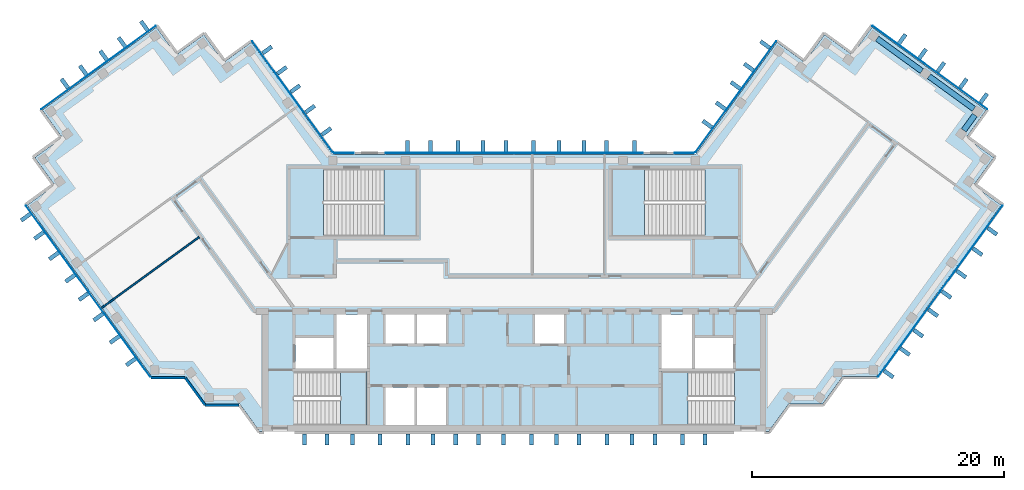
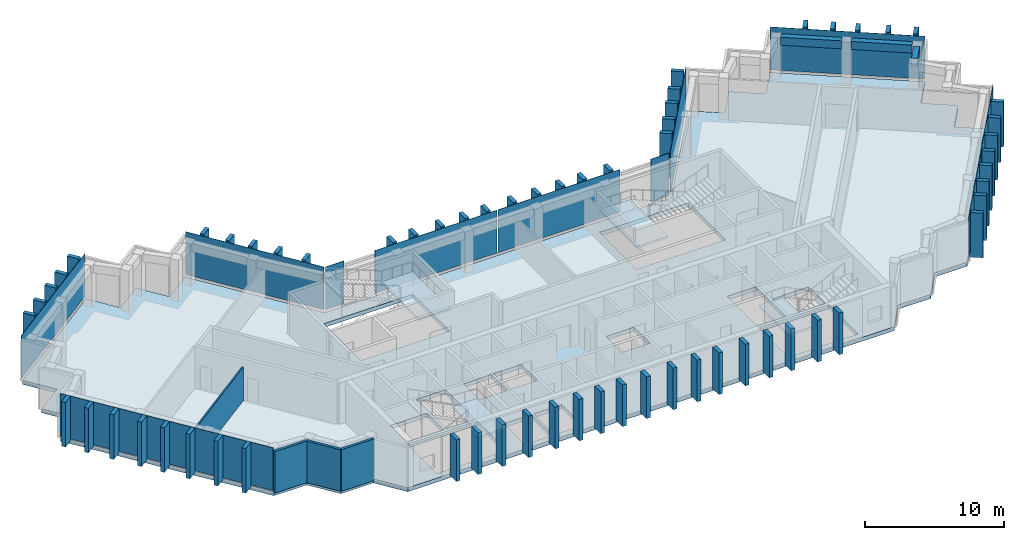
"""IFC4 building model written with IfcOpenShell, lengths in metres."""

from ifc_helpers import new_model, si_unit, direction, frame, frame_2d, origin, origin_2d, place, context, subcontext, project, spatial, polyline, rectangle, outline, extrude, material, layer, layer_set, material_profile, profile_set, type_object, element, aggregate, save


model = new_model("IFC4")

# Units and contexts
model_context = context("Model", 3, precision=1e-05, world=origin(), true_north=direction((0.0, 1.0)))
body_context = subcontext(model_context, "Body", "Model", "MODEL_VIEW")
ifc_project = project(units=[si_unit("LENGTHUNIT", "METRE"), si_unit("AREAUNIT", "SQUARE_METRE"), si_unit("VOLUMEUNIT", "CUBIC_METRE"), si_unit("PLANEANGLEUNIT", "RADIAN"), si_unit("MASSUNIT", "GRAM", prefix="KILO")], contexts=[model_context])

# Site, building, storey
site_placement = place(None, origin())
site = spatial("IfcSite", under=ifc_project, at=site_placement, CompositionType="ELEMENT")
building_placement = place(site_placement, origin())
building = spatial("IfcBuilding", under=site, at=building_placement, Name="Quipu Civic Tower", CompositionType="ELEMENT")
storey_1_placement = place(building_placement, frame((0.0, 0.0, 289.0)))
storey_1 = spatial("IfcBuildingStorey", under=building, at=storey_1_placement, Name="L67", CompositionType="ELEMENT", Elevation=289.0)

# Beams
ifc_material_1 = material(Name="Concrete C50/60", Category="concrete")
ifc_material_profile = material_profile(ifc_material_1, rectangle(XDim=0.449951171875, YDim=0.699951171875, at=origin_2d()), Name="RC450x700")
ifc_profile_set = profile_set([ifc_material_profile], Name="Concrete C50/60")
beam_type = type_object("IfcBeamType", Name="Spandrel beam RC 450x700 C50/60", PredefinedType="SPANDREL", material=ifc_profile_set)
beam_1_placement = place(storey_1_placement, frame((35.6767578125, 12.8994140625, 3.300048828125), z_axis=(0.588345920092, 0.808609348394, 0.0), x_axis=(-0.808609348394, 0.588345920092, 0.0)))
element("IfcBeam", 1, at=beam_1_placement, inside=storey_1, type_object=beam_type, Name="Spandrel beam L67 T-Eo.3-E22 to T-Eo.4-E22", PredefinedType="SPANDREL", context=body_context, shape_type="SweptSolid", body=[
    extrude(rectangle(XDim=0.449951171875, YDim=0.699951171875, at=origin_2d()), origin(), (0.0, 0.0, 1.0), 1.499755859375),
])
beam_2_placement = place(storey_1_placement, frame((36.481689453125, 14.6005859375, 3.300048828125), z_axis=(-0.809117270763, 0.587647208921, 0.0), x_axis=(-0.587647208921, -0.809117270763, 0.0)))
element("IfcBeam", 2, at=beam_2_placement, inside=storey_1, type_object=beam_type, Name="Spandrel beam L67 T-Eo.4-E22 to TIP-E-01-E22", PredefinedType="SPANDREL", context=body_context, shape_type="SweptSolid", body=[
    extrude(rectangle(XDim=0.449951171875, YDim=0.699951171875, at=origin_2d()), origin(), (0.0, 0.0, 1.0), 4.40185546875),
])
beam_3_placement = place(storey_1_placement, frame((32.353759765625, 17.5986328125, 3.300048828125), z_axis=(-0.809146152767, 0.587607439931, 0.0), x_axis=(-0.587607439931, -0.809146152767, 0.0)))
element("IfcBeam", 3, at=beam_3_placement, inside=storey_1, type_object=beam_type, Name="Spandrel beam L67 TIP-E-01-E22 to T-Ei.0-E22", PredefinedType="SPANDREL", context=body_context, shape_type="SweptSolid", body=[
    extrude(rectangle(XDim=0.449951171875, YDim=0.699951171875, at=origin_2d()), origin(), (0.0, 0.0, 1.0), 4.400390625),
])

# Slab
ifc_material_2 = material(Name="Concrete C40/50", Category="concrete")
ifc_layer_1 = layer(ifc_material_2, 0.35009765625)
ifc_layer_set_1 = layer_set([ifc_layer_1], Name="Concrete C40/50")
slab_type_1 = type_object("IfcSlabType", Name="Floor slab 350 C40/50", PredefinedType="FLOOR", material=ifc_layer_set_1)
slab_1_placement = place(storey_1_placement, frame((0.0, 0.0, -0.35009765625)))
element("IfcSlab", 4, at=slab_1_placement, inside=storey_1, type_object=slab_type_1, Name="Floor slab L67", PredefinedType="FLOOR", context=body_context, shape_type="SweptSolid", body=[
    extrude(outline(polyline([(20.860107421875, 19.89501953125), (23.0400390625, 18.31005859375), (24.6298828125, 20.4951171875), (26.81494140625, 18.905029296875), (28.39990234375, 21.090087890625), (37.4599609375, 14.5048828125), (35.875, 12.320068359375), (38.06005859375, 10.735107421875), (36.469970703125, 8.550048828125), (38.655029296875, 6.965087890625), (28.780029296875, -6.6298828125), (26.080078125, -6.6298828125), (24.489990234375, -8.81494140625), (21.7900390625, -8.81494140625), (20.205078125, -11.0), (-20.205078125, -11.0), (-21.7900390625, -8.81494140625), (-24.489990234375, -8.81494140625), (-26.080078125, -6.6298828125), (-28.780029296875, -6.6298828125), (-38.655029296875, 6.965087890625), (-36.469970703125, 8.550048828125), (-38.06005859375, 10.735107421875), (-35.875, 12.320068359375), (-37.4599609375, 14.5048828125), (-28.39990234375, 21.090087890625), (-26.81494140625, 18.905029296875), (-24.6298828125, 20.4951171875), (-23.0400390625, 18.31005859375), (-20.860107421875, 19.89501953125), (-14.39501953125, 11.0), (14.39501953125, 11.0), (20.860107421875, 19.89501953125)]), holes=[polyline([(-10.199951171875, -10.5), (-7.89990234375, -10.5), (-7.89990234375, -7.5), (-10.199951171875, -7.5), (-10.199951171875, -10.5)]), polyline([(-7.699951171875, -7.5), (-7.699951171875, -10.5), (-5.39990234375, -10.5), (-5.39990234375, -7.5), (-7.699951171875, -7.5)]), polyline([(-11.705078125, -6.2548828125), (-17.4951171875, -6.2548828125), (-17.4951171875, -10.4951171875), (-11.705078125, -10.4951171875), (-11.705078125, -6.2548828125)]), polyline([(-17.35009765625, -6.0), (-14.35009765625, -6.0), (-14.35009765625, -3.60009765625), (-17.35009765625, -3.60009765625), (-17.35009765625, -6.0)]), polyline([(-14.10009765625, -1.699951171875), (-14.10009765625, -6.0), (-11.699951171875, -6.0), (-11.699951171875, -1.699951171875), (-14.10009765625, -1.699951171875)]), polyline([(-10.199951171875, -1.699951171875), (-10.199951171875, -4.0), (-7.89990234375, -4.0), (-7.89990234375, -1.699951171875), (-10.199951171875, -1.699951171875)]), polyline([(-15.14501953125, 9.844970703125), (-15.14501953125, 4.5048828125), (-7.7548828125, 4.5048828125), (-7.7548828125, 9.844970703125), (-15.14501953125, 9.844970703125)]), polyline([(11.705078125, -10.4951171875), (17.4951171875, -10.4951171875), (17.4951171875, -6.2548828125), (11.705078125, -6.2548828125), (11.705078125, -10.4951171875)]), polyline([(14.35009765625, -3.60009765625), (14.35009765625, -6.0), (17.35009765625, -6.0), (17.35009765625, -3.60009765625), (14.35009765625, -3.60009765625)]), polyline([(11.699951171875, -1.699951171875), (11.699951171875, -6.0), (14.10009765625, -6.0), (14.10009765625, -1.699951171875), (11.699951171875, -1.699951171875)]), polyline([(-7.699951171875, -1.699951171875), (-7.699951171875, -4.0), (-5.39990234375, -4.0), (-5.39990234375, -1.699951171875), (-7.699951171875, -1.699951171875)]), polyline([(1.64990234375, -1.699951171875), (1.64990234375, -4.0), (3.949951171875, -4.0), (3.949951171875, -1.699951171875), (1.64990234375, -1.699951171875)]), polyline([(7.7548828125, 4.5048828125), (15.14501953125, 4.5048828125), (15.14501953125, 9.844970703125), (7.7548828125, 9.844970703125), (7.7548828125, 4.5048828125)])]), origin(), (0.0, 0.0, 1.0), 0.35009765625),
])

# Storey
storey_2_placement = place(building_placement, frame((0.0, 0.0, 285.0)))
storey_2 = spatial("IfcBuildingStorey", under=building, at=storey_2_placement, Name="L66", CompositionType="ELEMENT", Elevation=285.0)

# Curtain wall, plate
ifc_material_3 = material(Name="Insulated glass unit", Category="glass")
curtain_wall_type = type_object("IfcCurtainWallType", Name="Office curtain wall CW1", PredefinedType="NOTDEFINED", material=ifc_material_3)
curtain_wall_1_placement = place(storey_2_placement, origin())
curtain_wall_1 = element("IfcCurtainWall", 5, at=curtain_wall_1_placement, inside=storey_2, type_object=curtain_wall_type, Name="Office curtain wall CW1 L65 run 1", PredefinedType="NOTDEFINED")
ifc_material_4 = material(Name="Insulated glass unit", Category="glass")
ifc_layer_2 = layer(ifc_material_4, 0.028076171875)
ifc_layer_set_2 = layer_set([ifc_layer_2], Name="Insulated glass unit")
plate_type_1 = type_object("IfcPlateType", Name="Glass panel CW1", PredefinedType="CURTAIN_PANEL", material=ifc_layer_set_2)
plate_1_placement = place(storey_1_placement, frame((-17.590087890625, 15.5673828125, 0.16015625), z_axis=(0.0, 0.0, 1.0), x_axis=(-0.587787771652, 0.809015163947, 0.0)))
plate_1 = element("IfcPlate", 6, at=plate_1_placement, inside=storey_1, type_object=plate_type_1, Name="CW1 panel 1.3", PredefinedType="CURTAIN_PANEL", context=body_context, shape_type="SweptSolid", body=[
    extrude(rectangle(XDim=10.88427734375, YDim=0.028076171875, at=origin_2d()), origin(), (0.0, 0.0, 1.0), 3.760009765625),
])
aggregate(curtain_wall_1, [plate_1])

curtain_wall_2_placement = place(storey_2_placement, origin())
curtain_wall_2 = element("IfcCurtainWall", 7, at=curtain_wall_2_placement, inside=storey_2, type_object=curtain_wall_type, Name="Office curtain wall CW1 L65 run 6", PredefinedType="NOTDEFINED")
plate_2_placement = place(storey_1_placement, frame((-32.989990234375, 17.87939453125, 0.16015625), z_axis=(0.0, 0.0, 1.0), x_axis=(-0.809015176832, -0.587787753918, 0.0)))
plate_2 = element("IfcPlate", 8, at=plate_2_placement, inside=storey_1, type_object=plate_type_1, Name="CW1 panel 1.3", PredefinedType="CURTAIN_PANEL", context=body_context, shape_type="SweptSolid", body=[
    extrude(rectangle(XDim=11.239990234375, YDim=0.028076171875, at=origin_2d()), origin(), (0.0, 0.0, 1.0), 3.760009765625),
])
aggregate(curtain_wall_2, [plate_2])

# Curtain wall, plates
curtain_wall_3_placement = place(storey_2_placement, origin())
curtain_wall_3 = element("IfcCurtainWall", 9, at=curtain_wall_3_placement, inside=storey_2, type_object=curtain_wall_type, Name="Office curtain wall CW1 L65 run 11", PredefinedType="NOTDEFINED")
plate_3_placement = place(storey_1_placement, frame((-36.292724609375, 3.54052734375, 0.16015625), z_axis=(0.0, 0.0, 1.0), x_axis=(0.587786237643, -0.809016278475, 0.0)))
plate_3 = element("IfcPlate", 10, at=plate_3_placement, inside=storey_1, type_object=plate_type_1, Name="CW1 panel 1.3", PredefinedType="CURTAIN_PANEL", context=body_context, shape_type="SweptSolid", body=[
    extrude(rectangle(XDim=8.35791015625, YDim=0.028076171875, at=origin_2d()), origin(), (0.0, 0.0, 1.0), 3.760009765625),
])
plate_4_placement = place(storey_1_placement, frame((-31.333251953125, -3.285888671875, 0.16015625), z_axis=(0.0, 0.0, 1.0), x_axis=(0.587786237643, -0.809016278475, 0.0)))
plate_4 = element("IfcPlate", 11, at=plate_4_placement, inside=storey_1, type_object=plate_type_1, Name="CW1 panel 2.3", PredefinedType="CURTAIN_PANEL", context=body_context, shape_type="SweptSolid", body=[
    extrude(rectangle(XDim=8.35791015625, YDim=0.028076171875, at=origin_2d()), origin(), (0.0, 0.0, 1.0), 3.760009765625),
])
aggregate(curtain_wall_3, [plate_3, plate_4])

curtain_wall_4_placement = place(storey_2_placement, origin())
curtain_wall_4 = element("IfcCurtainWall", 12, at=curtain_wall_4_placement, inside=storey_2, type_object=curtain_wall_type, Name="Office curtain wall CW1 L65 run 23", PredefinedType="NOTDEFINED")
plate_5_placement = place(storey_1_placement, frame((31.333251953125, -3.285888671875, 0.16015625), z_axis=(0.0, 0.0, 1.0), x_axis=(0.587786237643, 0.809016278475, 0.0)))
plate_5 = element("IfcPlate", 13, at=plate_5_placement, inside=storey_1, type_object=plate_type_1, Name="CW1 panel 1.3", PredefinedType="CURTAIN_PANEL", context=body_context, shape_type="SweptSolid", body=[
    extrude(rectangle(XDim=8.35791015625, YDim=0.028076171875, at=origin_2d()), origin(), (0.0, 0.0, 1.0), 3.760009765625),
])
plate_6_placement = place(storey_1_placement, frame((36.292724609375, 3.54052734375, 0.16015625), z_axis=(0.0, 0.0, 1.0), x_axis=(0.587786237643, 0.809016278475, 0.0)))
plate_6 = element("IfcPlate", 14, at=plate_6_placement, inside=storey_1, type_object=plate_type_1, Name="CW1 panel 2.3", PredefinedType="CURTAIN_PANEL", context=body_context, shape_type="SweptSolid", body=[
    extrude(rectangle(XDim=8.35791015625, YDim=0.028076171875, at=origin_2d()), origin(), (0.0, 0.0, 1.0), 3.760009765625),
])
aggregate(curtain_wall_4, [plate_5, plate_6])

# Curtain wall, plate
curtain_wall_5_placement = place(storey_2_placement, origin())
curtain_wall_5 = element("IfcCurtainWall", 15, at=curtain_wall_5_placement, inside=storey_2, type_object=curtain_wall_type, Name="Office curtain wall CW1 L65 run 28", PredefinedType="NOTDEFINED")
plate_7_placement = place(storey_1_placement, frame((32.989990234375, 17.87939453125, 0.16015625), z_axis=(0.0, 0.0, 1.0), x_axis=(-0.809015176832, 0.587787753918, 0.0)))
plate_7 = element("IfcPlate", 16, at=plate_7_placement, inside=storey_1, type_object=plate_type_1, Name="CW1 panel 1.3", PredefinedType="CURTAIN_PANEL", context=body_context, shape_type="SweptSolid", body=[
    extrude(rectangle(XDim=11.239990234375, YDim=0.028076171875, at=origin_2d()), origin(), (0.0, 0.0, 1.0), 3.760009765625),
])
aggregate(curtain_wall_5, [plate_7])

curtain_wall_6_placement = place(storey_2_placement, origin())
curtain_wall_6 = element("IfcCurtainWall", 17, at=curtain_wall_6_placement, inside=storey_2, type_object=curtain_wall_type, Name="Office curtain wall CW1 L65 run 33", PredefinedType="NOTDEFINED")
plate_8_placement = place(storey_1_placement, frame((17.590087890625, 15.5673828125, 0.16015625), z_axis=(0.0, 0.0, 1.0), x_axis=(-0.587787771652, -0.809015163947, 0.0)))
plate_8 = element("IfcPlate", 18, at=plate_8_placement, inside=storey_1, type_object=plate_type_1, Name="CW1 panel 1.3", PredefinedType="CURTAIN_PANEL", context=body_context, shape_type="SweptSolid", body=[
    extrude(rectangle(XDim=10.88427734375, YDim=0.028076171875, at=origin_2d()), origin(), (0.0, 0.0, 1.0), 3.760009765625),
])
aggregate(curtain_wall_6, [plate_8])

curtain_wall_7_placement = place(storey_2_placement, origin())
curtain_wall_7 = element("IfcCurtainWall", 19, at=curtain_wall_7_placement, inside=storey_2, type_object=curtain_wall_type, Name="Office curtain wall CW1 L65 run 34", PredefinedType="NOTDEFINED")
plate_9_placement = place(storey_1_placement, frame((13.49951171875, 11.10009765625, 0.16015625), z_axis=(0.0, 0.0, 1.0), x_axis=(-1.0, 0.0, 0.0)))
plate_9 = element("IfcPlate", 20, at=plate_9_placement, inside=storey_1, type_object=plate_type_1, Name="CW1 panel 1.3", PredefinedType="CURTAIN_PANEL", context=body_context, shape_type="SweptSolid", body=[
    extrude(rectangle(XDim=1.529296875, YDim=0.028076171875, at=origin_2d()), origin(), (0.0, 0.0, 1.0), 3.760009765625),
])
aggregate(curtain_wall_7, [plate_9])

# Curtain wall, plates
curtain_wall_8_placement = place(storey_2_placement, origin())
curtain_wall_8 = element("IfcCurtainWall", 21, at=curtain_wall_8_placement, inside=storey_2, type_object=curtain_wall_type, Name="Office curtain wall CW1 L65 run 36", PredefinedType="NOTDEFINED")
plate_10_placement = place(storey_1_placement, frame((5.11181640625, 11.10009765625, 0.16015625), z_axis=(0.0, 0.0, 1.0), x_axis=(-1.0, 0.0, 0.0)))
plate_10 = element("IfcPlate", 22, at=plate_10_placement, inside=storey_1, type_object=plate_type_1, Name="CW1 panel 1.3", PredefinedType="CURTAIN_PANEL", context=body_context, shape_type="SweptSolid", body=[
    extrude(rectangle(XDim=10.1435546875, YDim=0.028076171875, at=origin_2d()), origin(), (0.0, 0.0, 1.0), 3.760009765625),
])
plate_11_placement = place(storey_1_placement, frame((-5.11181640625, 11.10009765625, 0.16015625), z_axis=(0.0, 0.0, 1.0), x_axis=(-1.0, 0.0, 0.0)))
plate_11 = element("IfcPlate", 23, at=plate_11_placement, inside=storey_1, type_object=plate_type_1, Name="CW1 panel 2.3", PredefinedType="CURTAIN_PANEL", context=body_context, shape_type="SweptSolid", body=[
    extrude(rectangle(XDim=10.1435546875, YDim=0.028076171875, at=origin_2d()), origin(), (0.0, 0.0, 1.0), 3.760009765625),
])
aggregate(curtain_wall_8, [plate_10, plate_11])

# Curtain wall, plate
curtain_wall_9_placement = place(storey_2_placement, origin())
curtain_wall_9 = element("IfcCurtainWall", 24, at=curtain_wall_9_placement, inside=storey_2, type_object=curtain_wall_type, Name="Office curtain wall CW1 L65 run 38", PredefinedType="NOTDEFINED")
plate_12_placement = place(storey_1_placement, frame((-13.49951171875, 11.10009765625, 0.16015625), z_axis=(0.0, 0.0, 1.0), x_axis=(-1.0, 0.0, 0.0)))
plate_12 = element("IfcPlate", 25, at=plate_12_placement, inside=storey_1, type_object=plate_type_1, Name="CW1 panel 1.3", PredefinedType="CURTAIN_PANEL", context=body_context, shape_type="SweptSolid", body=[
    extrude(rectangle(XDim=1.529296875, YDim=0.028076171875, at=origin_2d()), origin(), (0.0, 0.0, 1.0), 3.760009765625),
])
aggregate(curtain_wall_9, [plate_12])

# Plates
ifc_material_5 = material(Name="Precast concrete C40/50", Category="concrete")
plate_type_2 = type_object("IfcPlateType", Name="Precast fin F3", PredefinedType="SHEET", material=ifc_material_5)
for number, where, z_axis, x_axis, name in (
    (26, (-14.90380859375, 12.805908203125, 0.080078125), (0.0, 0.0, 1.0), (-0.58778443384, 0.809017589015, 0.0), "Precast fin F3 L67.P01.1"),
    (27, (-16.197021484375, 14.585693359375, 0.080078125), (0.0, 0.0, 1.0), (-0.58778443384, 0.809017589015, 0.0), "Precast fin F3 L67.P01.2"),
    (28, (-17.37255859375, 16.203857421875, 0.080078125), (0.0, 0.0, 1.0), (-0.58778443384, 0.809017589015, 0.0), "Precast fin F3 L67.P01.3"),
    (29, (-18.4306640625, 17.66015625, 0.080078125), (0.0, 0.0, 1.0), (-0.58778443384, 0.809017589015, 0.0), "Precast fin F3 L67.P01.4"),
    (30, (-19.606201171875, 19.278076171875, 0.080078125), (0.0, 0.0, 1.0), (-0.58778443384, 0.809017589015, 0.0), "Precast fin F3 L67.P01.5"),
    (31, (-29.357177734375, 21.198486328125, 0.080078125), (0.0, 0.0, 1.0), (-0.809017072762, -0.587785144401, 0.0), "Precast fin F3 L67.P06.1"),
    (32, (-31.13720703125, 19.905517578125, 0.080078125), (0.0, 0.0, 1.0), (-0.809017072762, -0.587785144401, 0.0), "Precast fin F3 L67.P06.2"),
    (33, (-32.59326171875, 18.847412109375, 0.080078125), (0.0, 0.0, 1.0), (-0.809017072762, -0.587785144401, 0.0), "Precast fin F3 L67.P06.3"),
    (34, (-34.21142578125, 17.671875, 0.080078125), (0.0, 0.0, 1.0), (-0.809017072762, -0.587785144401, 0.0), "Precast fin F3 L67.P06.4"),
    (35, (-35.66748046875, 16.61376953125, 0.080078125), (0.0, 0.0, 1.0), (-0.809017072762, -0.587785144401, 0.0), "Precast fin F3 L67.P06.5"),
    (36, (-38.764892578125, 6.007568359375, 0.080078125), (0.0, 0.0, 1.0), (0.587786668783, -0.809015965233, 0.0), "Precast fin F3 L67.P11.1"),
    (37, (-37.70703125, 4.55126953125, 0.080078125), (0.0, 0.0, 1.0), (0.587786668783, -0.809015965233, 0.0), "Precast fin F3 L67.P11.2"),
    (38, (-36.53125, 2.933349609375, 0.080078125), (0.0, 0.0, 1.0), (0.587786668783, -0.809015965233, 0.0), "Precast fin F3 L67.P11.3"),
    (39, (-35.23828125, 1.1533203125, 0.080078125), (0.0, 0.0, 1.0), (0.587786668783, -0.809015965233, 0.0), "Precast fin F3 L67.P11.4"),
    (40, (-34.18017578125, -0.302734375, 0.080078125), (0.0, 0.0, 1.0), (0.587786668783, -0.809015965233, 0.0), "Precast fin F3 L67.P11.5"),
    (41, (-33.004638671875, -1.9208984375, 0.080078125), (0.0, 0.0, 1.0), (0.587786668783, -0.809015965233, 0.0), "Precast fin F3 L67.P11.6"),
    (42, (-31.71142578125, -3.70068359375, 0.080078125), (0.0, 0.0, 1.0), (0.587786668783, -0.809015965233, 0.0), "Precast fin F3 L67.P11.7"),
    (43, (-30.41845703125, -5.48046875, 0.080078125), (0.0, 0.0, 1.0), (0.587786668783, -0.809015965233, 0.0), "Precast fin F3 L67.P11.8"),
):
    element("IfcPlate", number, at=place(storey_1_placement, frame(where, z_axis=z_axis, x_axis=x_axis)), inside=storey_1, type_object=plate_type_2, Name=name, PredefinedType="SHEET", context=body_context, shape_type="SweptSolid", body=[
        extrude(rectangle(XDim=0.320068359375, YDim=0.89990234375, at=origin_2d()), origin(), (0.0, 0.0, 1.0), 3.919921875),
    ])
for number, where, z_axis, x_axis, name in (
    (44, (-16.639892578125, -11.637939453125, 0.0), (0.0, 0.0, 1.0), (1.0, 0.0, 0.0), "Precast fin F3 L67.P18.1"),
    (45, (-14.840087890625, -11.637939453125, 0.0), (0.0, 0.0, 1.0), (1.0, 0.0, 0.0), "Precast fin F3 L67.P18.2"),
    (46, (-12.840087890625, -11.637939453125, 0.0), (0.0, 0.0, 1.0), (1.0, 0.0, 0.0), "Precast fin F3 L67.P18.3"),
    (47, (-10.639892578125, -11.637939453125, 0.0), (0.0, 0.0, 1.0), (1.0, 0.0, 0.0), "Precast fin F3 L67.P18.4"),
    (48, (-8.43994140625, -11.637939453125, 0.0), (0.0, 0.0, 1.0), (1.0, 0.0, 0.0), "Precast fin F3 L67.P18.5"),
    (49, (-6.43994140625, -11.637939453125, 0.0), (0.0, 0.0, 1.0), (1.0, 0.0, 0.0), "Precast fin F3 L67.P18.6"),
    (50, (-4.639892578125, -11.637939453125, 0.0), (0.0, 0.0, 1.0), (1.0, 0.0, 0.0), "Precast fin F3 L67.P18.7"),
    (51, (-2.840087890625, -11.637939453125, 0.0), (0.0, 0.0, 1.0), (1.0, 0.0, 0.0), "Precast fin F3 L67.P18.8"),
    (52, (-0.840087890625, -11.637939453125, 0.0), (0.0, 0.0, 1.0), (1.0, 0.0, 0.0), "Precast fin F3 L67.P18.9"),
    (53, (1.360107421875, -11.637939453125, 0.0), (0.0, 0.0, 1.0), (1.0, 0.0, 0.0), "Precast fin F3 L67.P18.10"),
    (54, (3.360107421875, -11.637939453125, 0.0), (0.0, 0.0, 1.0), (1.0, 0.0, 0.0), "Precast fin F3 L67.P18.11"),
    (55, (5.159912109375, -11.637939453125, 0.0), (0.0, 0.0, 1.0), (1.0, 0.0, 0.0), "Precast fin F3 L67.P18.12"),
    (56, (7.360107421875, -11.637939453125, 0.0), (0.0, 0.0, 1.0), (1.0, 0.0, 0.0), "Precast fin F3 L67.P18.13"),
    (57, (9.360107421875, -11.637939453125, 0.0), (0.0, 0.0, 1.0), (1.0, 0.0, 0.0), "Precast fin F3 L67.P18.14"),
    (58, (11.159912109375, -11.637939453125, 0.0), (0.0, 0.0, 1.0), (1.0, 0.0, 0.0), "Precast fin F3 L67.P18.15"),
    (59, (13.360107421875, -11.637939453125, 0.0), (0.0, 0.0, 1.0), (1.0, 0.0, 0.0), "Precast fin F3 L67.P18.16"),
    (60, (15.159912109375, -11.637939453125, 0.0), (0.0, 0.0, 1.0), (1.0, 0.0, 0.0), "Precast fin F3 L67.P18.17"),
):
    element("IfcPlate", number, at=place(storey_1_placement, frame(where, z_axis=z_axis, x_axis=x_axis)), inside=storey_1, type_object=plate_type_2, Name=name, PredefinedType="SHEET", context=body_context, shape_type="SweptSolid", body=[
        extrude(rectangle(XDim=0.320068359375, YDim=0.89990234375, at=origin_2d()), origin(), (0.0, 0.0, 1.0), 3.64990234375),
    ])
for number, where, z_axis, x_axis, name in (
    (61, (29.721923828125, -6.43896484375, 0.080078125), (0.0, 0.0, 1.0), (0.587786668783, 0.809015965233, 0.0), "Precast fin F3 L67.P24.1"),
    (62, (31.01513671875, -4.6591796875, 0.080078125), (0.0, 0.0, 1.0), (0.587786668783, 0.809015965233, 0.0), "Precast fin F3 L67.P24.2"),
    (63, (32.0732421875, -3.202880859375, 0.080078125), (0.0, 0.0, 1.0), (0.587786668783, 0.809015965233, 0.0), "Precast fin F3 L67.P24.3"),
    (64, (33.248779296875, -1.5849609375, 0.080078125), (0.0, 0.0, 1.0), (0.587786668783, 0.809015965233, 0.0), "Precast fin F3 L67.P24.4"),
    (65, (34.306640625, -0.128662109375, 0.080078125), (0.0, 0.0, 1.0), (0.587786668783, 0.809015965233, 0.0), "Precast fin F3 L67.P24.5"),
    (66, (35.482177734375, 1.489501953125, 0.080078125), (0.0, 0.0, 1.0), (0.587786668783, 0.809015965233, 0.0), "Precast fin F3 L67.P24.6"),
    (67, (36.775390625, 3.269287109375, 0.080078125), (0.0, 0.0, 1.0), (0.587786668783, 0.809015965233, 0.0), "Precast fin F3 L67.P24.7"),
    (68, (37.950927734375, 4.88720703125, 0.080078125), (0.0, 0.0, 1.0), (0.587786668783, 0.809015965233, 0.0), "Precast fin F3 L67.P24.8"),
    (69, (37.26953125, 15.449951171875, 0.080078125), (0.0, 0.0, 1.0), (-0.809017072762, 0.587785144401, 0.0), "Precast fin F3 L67.P29.1"),
    (70, (35.6513671875, 16.62548828125, 0.080078125), (0.0, 0.0, 1.0), (-0.809017072762, 0.587785144401, 0.0), "Precast fin F3 L67.P29.2"),
    (71, (33.87158203125, 17.918701171875, 0.080078125), (0.0, 0.0, 1.0), (-0.809017072762, 0.587785144401, 0.0), "Precast fin F3 L67.P29.3"),
    (72, (32.415283203125, 18.976806640625, 0.080078125), (0.0, 0.0, 1.0), (-0.809017072762, 0.587785144401, 0.0), "Precast fin F3 L67.P29.4"),
    (73, (30.79736328125, 20.15234375, 0.080078125), (0.0, 0.0, 1.0), (-0.809017072762, 0.587785144401, 0.0), "Precast fin F3 L67.P29.5"),
    (74, (19.914794921875, 19.702880859375, 0.080078125), (0.0, 0.0, 1.0), (-0.58778443384, -0.809017589015, 0.0), "Precast fin F3 L67.P34.1"),
    (75, (18.62158203125, 17.923095703125, 0.080078125), (0.0, 0.0, 1.0), (-0.58778443384, -0.809017589015, 0.0), "Precast fin F3 L67.P34.2"),
    (76, (17.563720703125, 16.466796875, 0.080078125), (0.0, 0.0, 1.0), (-0.58778443384, -0.809017589015, 0.0), "Precast fin F3 L67.P34.3"),
    (77, (16.38818359375, 14.848876953125, 0.080078125), (0.0, 0.0, 1.0), (-0.58778443384, -0.809017589015, 0.0), "Precast fin F3 L67.P34.4"),
    (78, (15.330078125, 13.392578125, 0.080078125), (0.0, 0.0, 1.0), (-0.58778443384, -0.809017589015, 0.0), "Precast fin F3 L67.P34.5"),
    (79, (9.5400390625, 11.64990234375, 0.080078125), (0.0, 0.0, 1.0), (-1.0, 0.0, 0.0), "Precast fin F3 L67.P37.1"),
    (80, (7.340087890625, 11.64990234375, 0.080078125), (0.0, 0.0, 1.0), (-1.0, 0.0, 0.0), "Precast fin F3 L67.P37.2"),
    (81, (5.5400390625, 11.64990234375, 0.080078125), (0.0, 0.0, 1.0), (-1.0, 0.0, 0.0), "Precast fin F3 L67.P37.3"),
    (82, (3.5400390625, 11.64990234375, 0.080078125), (0.0, 0.0, 1.0), (-1.0, 0.0, 0.0), "Precast fin F3 L67.P37.4"),
    (83, (1.5400390625, 11.64990234375, 0.080078125), (0.0, 0.0, 1.0), (-1.0, 0.0, 0.0), "Precast fin F3 L67.P37.5"),
    (84, (-0.659912109375, 11.64990234375, 0.080078125), (0.0, 0.0, 1.0), (-1.0, 0.0, 0.0), "Precast fin F3 L67.P37.6"),
    (85, (-2.4599609375, 11.64990234375, 0.080078125), (0.0, 0.0, 1.0), (-1.0, 0.0, 0.0), "Precast fin F3 L67.P37.7"),
    (86, (-4.4599609375, 11.64990234375, 0.080078125), (0.0, 0.0, 1.0), (-1.0, 0.0, 0.0), "Precast fin F3 L67.P37.8"),
    (87, (-6.659912109375, 11.64990234375, 0.080078125), (0.0, 0.0, 1.0), (-1.0, 0.0, 0.0), "Precast fin F3 L67.P37.9"),
    (88, (-8.4599609375, 11.64990234375, 0.080078125), (0.0, 0.0, 1.0), (-1.0, 0.0, 0.0), "Precast fin F3 L67.P37.10"),
):
    element("IfcPlate", number, at=place(storey_1_placement, frame(where, z_axis=z_axis, x_axis=x_axis)), inside=storey_1, type_object=plate_type_2, Name=name, PredefinedType="SHEET", context=body_context, shape_type="SweptSolid", body=[
        extrude(rectangle(XDim=0.320068359375, YDim=0.89990234375, at=origin_2d()), origin(), (0.0, 0.0, 1.0), 3.919921875),
    ])

# Stair, slab
ifc_material_6 = material(Name="Concrete C40/50", Category="concrete")
stair_type_1 = type_object("IfcStairType", Name="Half turn stair 2000", PredefinedType="HALF_TURN_STAIR", material=ifc_material_6)
stair_1_placement = place(storey_1_placement, origin())
stair_1 = element("IfcStair", 89, at=stair_1_placement, inside=storey_1, type_object=stair_type_1, Name="Exit stair 1", PredefinedType="HALF_TURN_STAIR")
ifc_material_7 = material(Name="Concrete C40/50", Category="concrete")
ifc_layer_3 = layer(ifc_material_7, 0.199951171875)
ifc_layer_set_3 = layer_set([ifc_layer_3], Name="Concrete C40/50")
slab_type_2 = type_object("IfcSlabType", Name="Stair landing 200", PredefinedType="LANDING", material=ifc_layer_set_3)
slab_2_placement = place(storey_1_placement, frame((0.0, 0.0, 1.800048828125)))
slab_2 = element("IfcSlab", 90, at=slab_2_placement, type_object=slab_type_2, Name="ST-1 landing 1", PredefinedType="LANDING", context=body_context, shape_type="SweptSolid", body=[
    extrude(outline(polyline([(-13.780029296875, -10.5), (-11.699951171875, -10.5), (-11.699951171875, -6.25), (-13.780029296875, -6.25), (-13.780029296875, -10.5)])), origin(), (0.0, 0.0, 1.0), 0.199951171875),
])
aggregate(stair_1, [slab_2])

stair_2_placement = place(storey_1_placement, origin())
stair_2 = element("IfcStair", 91, at=stair_2_placement, inside=storey_1, type_object=stair_type_1, Name="Exit stair 2", PredefinedType="HALF_TURN_STAIR")
slab_3_placement = place(storey_1_placement, frame((0.0, 0.0, 1.800048828125)))
slab_3 = element("IfcSlab", 92, at=slab_3_placement, type_object=slab_type_2, Name="ST-2 landing 1", PredefinedType="LANDING", context=body_context, shape_type="SweptSolid", body=[
    extrude(outline(polyline([(13.780029296875, -6.25), (11.699951171875, -6.25), (11.699951171875, -10.5), (13.780029296875, -10.5), (13.780029296875, -6.25)])), origin(), (0.0, 0.0, 1.0), 0.199951171875),
])
aggregate(stair_2, [slab_3])

ifc_material_8 = material(Name="Concrete C40/50", Category="concrete")
stair_type_2 = type_object("IfcStairType", Name="Half turn stair 2600", PredefinedType="HALF_TURN_STAIR", material=ifc_material_8)
stair_3_placement = place(storey_1_placement, origin())
stair_3 = element("IfcStair", 93, at=stair_3_placement, inside=storey_1, type_object=stair_type_2, Name="Exit stair 3", PredefinedType="HALF_TURN_STAIR")
slab_4_placement = place(storey_1_placement, frame((0.0, 0.0, 1.800048828125)))
slab_4 = element("IfcSlab", 94, at=slab_4_placement, type_object=slab_type_2, Name="ST-3 landing 1", PredefinedType="LANDING", context=body_context, shape_type="SweptSolid", body=[
    extrude(outline(polyline([(-10.35009765625, 4.5), (-7.75, 4.5), (-7.75, 9.85009765625), (-10.35009765625, 9.85009765625), (-10.35009765625, 4.5)])), origin(), (0.0, 0.0, 1.0), 0.199951171875),
])
aggregate(stair_3, [slab_4])

stair_4_placement = place(storey_1_placement, origin())
stair_4 = element("IfcStair", 95, at=stair_4_placement, inside=storey_1, type_object=stair_type_2, Name="Exit stair 4", PredefinedType="HALF_TURN_STAIR")
slab_5_placement = place(storey_1_placement, frame((0.0, 0.0, 1.800048828125)))
slab_5 = element("IfcSlab", 96, at=slab_5_placement, type_object=slab_type_2, Name="ST-4 landing 1", PredefinedType="LANDING", context=body_context, shape_type="SweptSolid", body=[
    extrude(outline(polyline([(10.35009765625, 9.85009765625), (7.75, 9.85009765625), (7.75, 4.5), (10.35009765625, 4.5), (10.35009765625, 9.85009765625)])), origin(), (0.0, 0.0, 1.0), 0.199951171875),
])
aggregate(stair_4, [slab_5])

# Walls
ifc_material_9 = material(Name="Gypsum plasterboard on light gauge framing")
ifc_layer_4 = layer(ifc_material_9, 0.1201171875)
ifc_layer_set_4 = layer_set([ifc_layer_4], Name="Gypsum plasterboard on light gauge framing")
wall_type_1 = type_object("IfcWallType", Name="Partition 120 plasterboard", PredefinedType="PARTITIONING", material=ifc_layer_set_4)
wall_1_placement = place(storey_1_placement, frame((-25.00830078125, 4.4267578125, 0.0), z_axis=(0.0, 0.0, 1.0), x_axis=(-0.808994684961, -0.587815957341, 0.0)))
element("IfcWall", 97, at=wall_1_placement, inside=storey_1, type_object=wall_type_1, Name="Partition P03", PredefinedType="PARTITIONING", context=body_context, shape_type="SweptSolid", body=[
    extrude(rectangle(XDim=9.55029296875, YDim=0.1201171875, at=frame_2d((4.775146484375, 0.0))), origin(), (0.0, 0.0, 1.0), 2.949951171875),
])
ifc_material_10 = material(Name="Precast concrete C40/50", Category="concrete")
wall_type_2 = type_object("IfcWallType", Name="Precast cladding wall", PredefinedType="SOLIDWALL", material=ifc_material_10)
wall_2_placement = place(storey_1_placement, frame((-28.829833984375, -6.71923828125, 0.0), z_axis=(0.0, 0.0, 1.0), x_axis=(1.0, 0.0, 0.0)))
element("IfcWall", 98, at=wall_2_placement, inside=storey_1, type_object=wall_type_2, Name="Precast cladding wall L67 P12", PredefinedType="SOLIDWALL", context=body_context, shape_type="SweptSolid", body=[
    extrude(rectangle(XDim=2.699951171875, YDim=0.199951171875, at=frame_2d((1.35009765625, 0.0))), origin(), (0.0, 0.0, 1.0), 3.64990234375),
])
wall_3_placement = place(storey_1_placement, frame((-26.1201171875, -6.72412109375, 0.0), z_axis=(0.0, 0.0, 1.0), x_axis=(0.587720002413, -0.809064397168, 0.0)))
element("IfcWall", 99, at=wall_3_placement, inside=storey_1, type_object=wall_type_2, Name="Precast cladding wall L67 P13", PredefinedType="SOLIDWALL", context=body_context, shape_type="SweptSolid", body=[
    extrude(rectangle(XDim=2.7001953125, YDim=0.199951171875, at=frame_2d((1.35009765625, 0.0))), origin(), (0.0, 0.0, 1.0), 3.64990234375),
])
wall_4_placement = place(storey_1_placement, frame((-24.542724609375, -8.90380859375, 0.0), z_axis=(0.0, 0.0, 1.0), x_axis=(1.0, 0.0, 0.0)))
element("IfcWall", 100, at=wall_4_placement, inside=storey_1, type_object=wall_type_2, Name="Precast cladding wall L67 P14", PredefinedType="SOLIDWALL", context=body_context, shape_type="SweptSolid", body=[
    extrude(rectangle(XDim=2.699951171875, YDim=0.199951171875, at=frame_2d((1.35009765625, 0.0))), origin(), (0.0, 0.0, 1.0), 3.64990234375),
])

save(model, "model.ifc")
